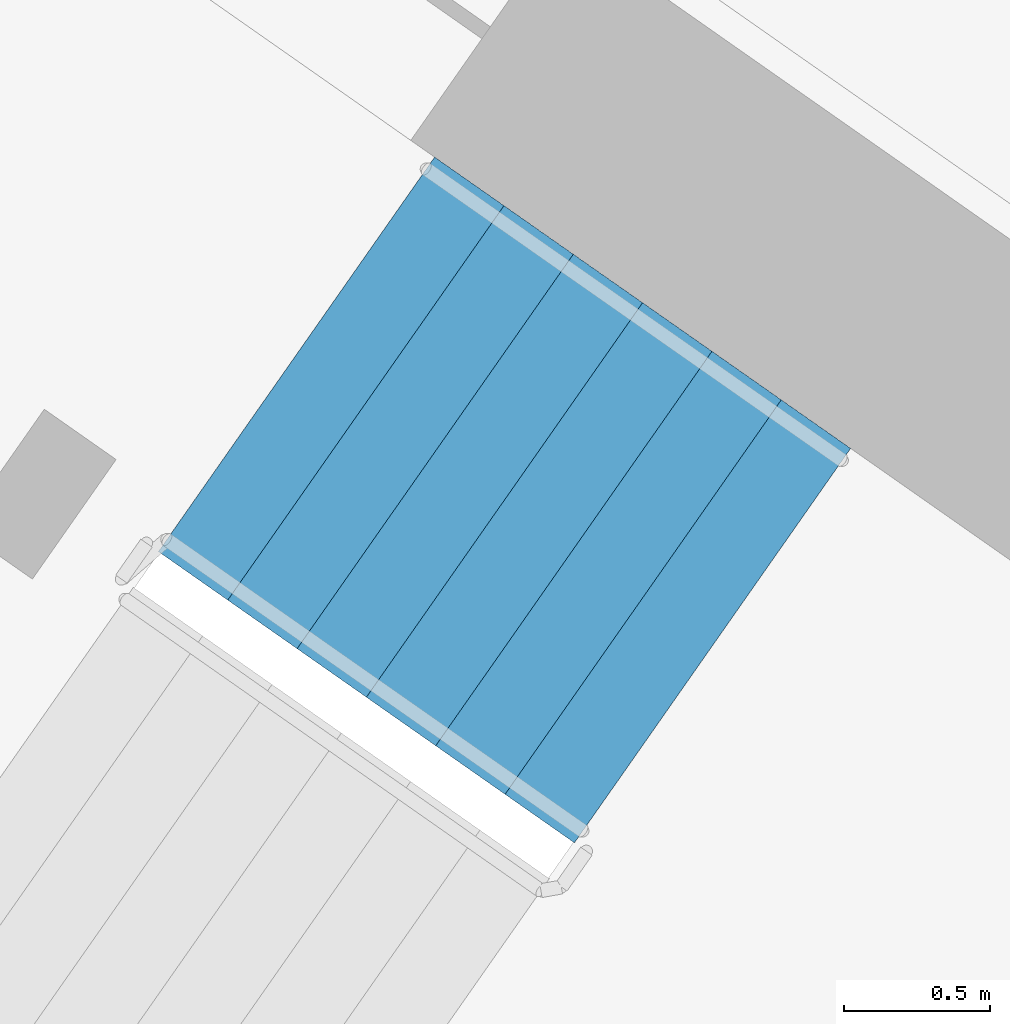
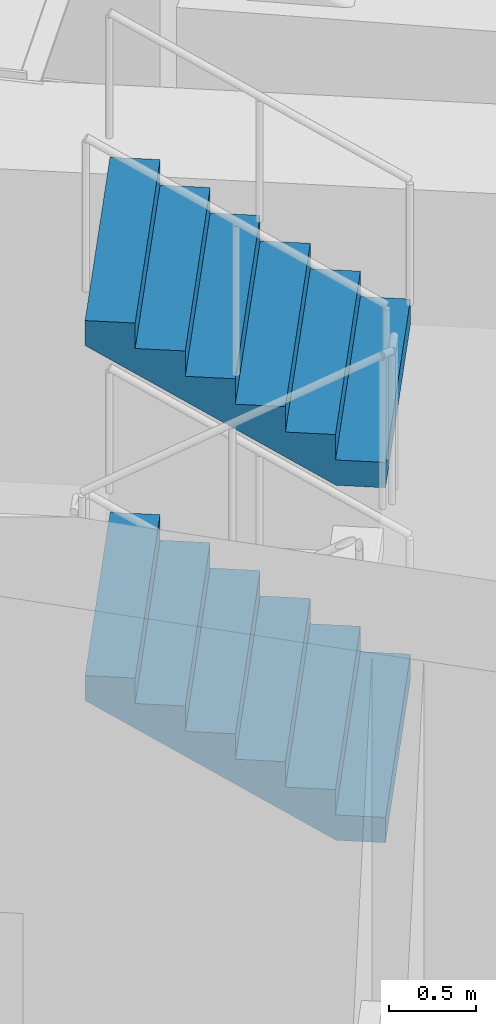
# One storey, part 18 of 25: 2 stair flights, 1 element without a shape of its own.
"""IFC4 building model written with IfcOpenShell, lengths in metres."""

from ifc_helpers import new_model, si_unit, direction, frame, origin, place, context, subcontext, project, spatial, faceted_brep, material, type_object, element, aggregate, save


model = new_model("IFC4")

# Units and contexts
model_context = context("Model", 3, precision=1e-05, world=origin(), true_north=direction((0.0, 1.0)))
body_context = subcontext(model_context, "Body", "Model", "MODEL_VIEW")
ifc_project = project(units=[si_unit("LENGTHUNIT", "METRE"), si_unit("AREAUNIT", "SQUARE_METRE"), si_unit("VOLUMEUNIT", "CUBIC_METRE"), si_unit("PLANEANGLEUNIT", "RADIAN"), si_unit("MASSUNIT", "GRAM", prefix="KILO")], contexts=[model_context])

# Site, building, storey
site_placement = place(None, origin())
site = spatial("IfcSite", under=ifc_project, at=site_placement, CompositionType="ELEMENT")
building_placement = place(site_placement, origin())
building = spatial("IfcBuilding", under=site, at=building_placement, Name="Qamariyya Broadcast Tower", CompositionType="ELEMENT")
storey_placement = place(building_placement, frame((0.0, 0.0, 144.300048828125)))
storey = spatial("IfcBuildingStorey", under=building, at=storey_placement, Name="L33", CompositionType="ELEMENT", Elevation=144.300048828125)

# Stair, stair flights
ifc_material = material(Name="Concrete C50/60", Category="concrete")
stair_type = type_object("IfcStairType", Name="Exit stair 28 risers of 179 mm", PredefinedType="HALF_TURN_STAIR", material=ifc_material)
stair_placement = place(storey_placement, origin())
stair = element("IfcStair", 1, at=stair_placement, inside=storey, type_object=stair_type, Name="L33 Stair W2", PredefinedType="HALF_TURN_STAIR")
stair_flight_type = type_object("IfcStairFlightType", Name="Exit stair flight 7 risers of 179 mm", PredefinedType="STRAIGHT", material=ifc_material)
stair_flight_1_placement = place(storey_placement, frame((-39.133544921875, -48.683349609375, 1.25), z_axis=(0.0, 0.0, 1.0), x_axis=(-0.819152044289, 0.573576436351, 0.0)))
stair_flight_1 = element("IfcStairFlight", 2, at=stair_flight_1_placement, type_object=stair_flight_type, Name="ST-W2 flight 2", NumberOfRisers=7, NumberOfTreads=6, PredefinedType="STRAIGHT", RiserHeight=0.178571429, TreadLength=0.29, context=body_context, shape_type="Brep", body=[
    faceted_brep([(0.0, 0.824951171875, 0.0), (0.0, 0.824951171875, 0.178466796875), (0.2900390625, 0.824951171875, 0.178466796875), (0.2900390625, 0.824951171875, 0.357177734375), (0.580078125, 0.824951171875, 0.357177734375), (0.580078125, 0.824951171875, 0.53564453125), (0.8701171875, 0.824951171875, 0.53564453125), (0.8701171875, 0.824951171875, 0.71435546875), (1.159912109375, 0.824951171875, 0.71435546875), (1.159912109375, 0.824951171875, 0.892822265625), (1.449951171875, 0.824951171875, 0.892822265625), (1.449951171875, 0.824951171875, 1.071533203125), (1.739990234375, 0.824951171875, 1.071533203125), (1.739990234375, 0.824951171875, 0.8955078125), (0.285888671875, 0.824951171875, 0.0), (0.285888671875, -0.824951171875, 0.0), (1.739990234375, -0.824951171875, 0.8955078125), (1.739990234375, -0.824951171875, 1.071533203125), (1.449951171875, -0.824951171875, 1.071533203125), (1.449951171875, -0.824951171875, 0.892822265625), (1.159912109375, -0.824951171875, 0.892822265625), (1.159912109375, -0.824951171875, 0.71435546875), (0.8701171875, -0.824951171875, 0.71435546875), (0.8701171875, -0.824951171875, 0.53564453125), (0.580078125, -0.824951171875, 0.53564453125), (0.580078125, -0.824951171875, 0.357177734375), (0.2900390625, -0.824951171875, 0.357177734375), (0.2900390625, -0.824951171875, 0.178466796875), (0.0, -0.824951171875, 0.178466796875), (0.0, -0.824951171875, 0.0), (0.0, 0.10009765625, 0.0), (0.0, 0.086669921875, 0.0), (0.0, 0.0732421875, 0.0), (0.0, 0.06005859375, 0.0), (0.0, 0.046630859375, 0.0), (0.0, 0.033447265625, 0.0), (0.0, 0.02001953125, 0.0), (0.0, 0.006591796875, 0.0), (0.0, -0.006591796875, 0.0), (0.0, -0.02001953125, 0.0), (0.0, -0.033447265625, 0.0), (0.0, -0.046630859375, 0.0), (0.0, -0.06005859375, 0.0), (0.0, -0.0732421875, 0.0), (0.0, -0.086669921875, 0.0), (0.0, -0.10009765625, 0.0), (0.0, -0.10009765625, 0.178466796875), (0.0, -0.086669921875, 0.178466796875), (0.0, -0.0732421875, 0.178466796875), (0.0, -0.06005859375, 0.178466796875), (0.0, -0.046630859375, 0.178466796875), (0.0, -0.033447265625, 0.178466796875), (0.0, -0.02001953125, 0.178466796875), (0.0, -0.006591796875, 0.178466796875), (0.0, 0.006591796875, 0.178466796875), (0.0, 0.02001953125, 0.178466796875), (0.0, 0.033447265625, 0.178466796875), (0.0, 0.046630859375, 0.178466796875), (0.0, 0.06005859375, 0.178466796875), (0.0, 0.0732421875, 0.178466796875), (0.0, 0.086669921875, 0.178466796875), (0.0, 0.10009765625, 0.178466796875), (0.2900390625, -0.10009765625, 0.178466796875), (0.2900390625, -0.086669921875, 0.178466796875), (0.2900390625, -0.0732421875, 0.178466796875), (0.2900390625, -0.06005859375, 0.178466796875), (0.2900390625, -0.046630859375, 0.178466796875), (0.2900390625, -0.033447265625, 0.178466796875), (0.2900390625, -0.02001953125, 0.178466796875), (0.2900390625, -0.006591796875, 0.178466796875), (0.2900390625, 0.006591796875, 0.178466796875), (0.2900390625, 0.02001953125, 0.178466796875), (0.2900390625, 0.033447265625, 0.178466796875), (0.2900390625, 0.046630859375, 0.178466796875), (0.2900390625, 0.06005859375, 0.178466796875), (0.2900390625, 0.0732421875, 0.178466796875), (0.2900390625, 0.086669921875, 0.178466796875), (0.2900390625, 0.10009765625, 0.178466796875), (0.2900390625, -0.10009765625, 0.357177734375), (0.2900390625, -0.086669921875, 0.357177734375), (0.2900390625, -0.0732421875, 0.357177734375), (0.2900390625, -0.06005859375, 0.357177734375), (0.2900390625, -0.046630859375, 0.357177734375), (0.2900390625, -0.033447265625, 0.357177734375), (0.2900390625, -0.02001953125, 0.357177734375), (0.2900390625, -0.006591796875, 0.357177734375), (0.2900390625, 0.006591796875, 0.357177734375), (0.2900390625, 0.02001953125, 0.357177734375), (0.2900390625, 0.033447265625, 0.357177734375), (0.2900390625, 0.046630859375, 0.357177734375), (0.2900390625, 0.06005859375, 0.357177734375), (0.2900390625, 0.0732421875, 0.357177734375), (0.2900390625, 0.086669921875, 0.357177734375), (0.2900390625, 0.10009765625, 0.357177734375), (0.580078125, -0.10009765625, 0.357177734375), (0.580078125, -0.086669921875, 0.357177734375), (0.580078125, -0.0732421875, 0.357177734375), (0.580078125, -0.06005859375, 0.357177734375), (0.580078125, -0.046630859375, 0.357177734375), (0.580078125, -0.033447265625, 0.357177734375), (0.580078125, -0.02001953125, 0.357177734375), (0.580078125, -0.006591796875, 0.357177734375), (0.580078125, 0.006591796875, 0.357177734375), (0.580078125, 0.02001953125, 0.357177734375), (0.580078125, 0.033447265625, 0.357177734375), (0.580078125, 0.046630859375, 0.357177734375), (0.580078125, 0.06005859375, 0.357177734375), (0.580078125, 0.0732421875, 0.357177734375), (0.580078125, 0.086669921875, 0.357177734375), (0.580078125, 0.10009765625, 0.357177734375), (0.580078125, -0.10009765625, 0.53564453125), (0.580078125, -0.086669921875, 0.53564453125), (0.580078125, -0.0732421875, 0.53564453125), (0.580078125, -0.06005859375, 0.53564453125), (0.580078125, -0.046630859375, 0.53564453125), (0.580078125, -0.033447265625, 0.53564453125), (0.580078125, -0.02001953125, 0.53564453125), (0.580078125, -0.006591796875, 0.53564453125), (0.580078125, 0.006591796875, 0.53564453125), (0.580078125, 0.02001953125, 0.53564453125), (0.580078125, 0.033447265625, 0.53564453125), (0.580078125, 0.046630859375, 0.53564453125), (0.580078125, 0.06005859375, 0.53564453125), (0.580078125, 0.0732421875, 0.53564453125), (0.580078125, 0.086669921875, 0.53564453125), (0.580078125, 0.10009765625, 0.53564453125), (0.8701171875, -0.10009765625, 0.53564453125), (0.8701171875, -0.086669921875, 0.53564453125), (0.8701171875, -0.0732421875, 0.53564453125), (0.8701171875, -0.06005859375, 0.53564453125), (0.8701171875, -0.046630859375, 0.53564453125), (0.8701171875, -0.033447265625, 0.53564453125), (0.8701171875, -0.02001953125, 0.53564453125), (0.8701171875, -0.006591796875, 0.53564453125), (0.8701171875, 0.006591796875, 0.53564453125), (0.8701171875, 0.02001953125, 0.53564453125), (0.8701171875, 0.033447265625, 0.53564453125), (0.8701171875, 0.046630859375, 0.53564453125), (0.8701171875, 0.06005859375, 0.53564453125), (0.8701171875, 0.0732421875, 0.53564453125), (0.8701171875, 0.086669921875, 0.53564453125), (0.8701171875, 0.10009765625, 0.53564453125), (0.8701171875, -0.10009765625, 0.71435546875), (0.8701171875, -0.086669921875, 0.71435546875), (0.8701171875, -0.0732421875, 0.71435546875), (0.8701171875, -0.06005859375, 0.71435546875), (0.8701171875, -0.046630859375, 0.71435546875), (0.8701171875, -0.033447265625, 0.71435546875), (0.8701171875, -0.02001953125, 0.71435546875), (0.8701171875, -0.006591796875, 0.71435546875), (0.8701171875, 0.006591796875, 0.71435546875), (0.8701171875, 0.02001953125, 0.71435546875), (0.8701171875, 0.033447265625, 0.71435546875), (0.8701171875, 0.046630859375, 0.71435546875), (0.8701171875, 0.06005859375, 0.71435546875), (0.8701171875, 0.0732421875, 0.71435546875), (0.8701171875, 0.086669921875, 0.71435546875), (0.8701171875, 0.10009765625, 0.71435546875), (1.159912109375, -0.10009765625, 0.71435546875), (1.159912109375, -0.086669921875, 0.71435546875), (1.159912109375, -0.0732421875, 0.71435546875), (1.159912109375, -0.06005859375, 0.71435546875), (1.159912109375, -0.046630859375, 0.71435546875), (1.159912109375, -0.033447265625, 0.71435546875), (1.159912109375, -0.02001953125, 0.71435546875), (1.159912109375, -0.006591796875, 0.71435546875), (1.159912109375, 0.006591796875, 0.71435546875), (1.159912109375, 0.02001953125, 0.71435546875), (1.159912109375, 0.033447265625, 0.71435546875), (1.159912109375, 0.046630859375, 0.71435546875), (1.159912109375, 0.06005859375, 0.71435546875), (1.159912109375, 0.0732421875, 0.71435546875), (1.159912109375, 0.086669921875, 0.71435546875), (1.159912109375, 0.10009765625, 0.71435546875), (1.159912109375, -0.10009765625, 0.892822265625), (1.159912109375, -0.086669921875, 0.892822265625), (1.159912109375, -0.0732421875, 0.892822265625), (1.159912109375, -0.06005859375, 0.892822265625), (1.159912109375, -0.046630859375, 0.892822265625), (1.159912109375, -0.033447265625, 0.892822265625), (1.159912109375, -0.02001953125, 0.892822265625), (1.159912109375, -0.006591796875, 0.892822265625), (1.159912109375, 0.006591796875, 0.892822265625), (1.159912109375, 0.02001953125, 0.892822265625), (1.159912109375, 0.033447265625, 0.892822265625), (1.159912109375, 0.046630859375, 0.892822265625), (1.159912109375, 0.06005859375, 0.892822265625), (1.159912109375, 0.0732421875, 0.892822265625), (1.159912109375, 0.086669921875, 0.892822265625), (1.159912109375, 0.10009765625, 0.892822265625), (1.449951171875, -0.10009765625, 0.892822265625), (1.449951171875, -0.086669921875, 0.892822265625), (1.449951171875, -0.0732421875, 0.892822265625), (1.449951171875, -0.06005859375, 0.892822265625), (1.449951171875, -0.046630859375, 0.892822265625), (1.449951171875, -0.033447265625, 0.892822265625), (1.449951171875, -0.02001953125, 0.892822265625), (1.449951171875, -0.006591796875, 0.892822265625), (1.449951171875, 0.006591796875, 0.892822265625), (1.449951171875, 0.02001953125, 0.892822265625), (1.449951171875, 0.033447265625, 0.892822265625), (1.449951171875, 0.046630859375, 0.892822265625), (1.449951171875, 0.06005859375, 0.892822265625), (1.449951171875, 0.0732421875, 0.892822265625), (1.449951171875, 0.086669921875, 0.892822265625), (1.449951171875, 0.10009765625, 0.892822265625), (1.449951171875, -0.10009765625, 1.071533203125), (1.449951171875, -0.086669921875, 1.071533203125), (1.449951171875, -0.0732421875, 1.071533203125), (1.449951171875, -0.06005859375, 1.071533203125), (1.449951171875, -0.046630859375, 1.071533203125), (1.449951171875, -0.033447265625, 1.071533203125), (1.449951171875, -0.02001953125, 1.071533203125), (1.449951171875, -0.006591796875, 1.071533203125), (1.449951171875, 0.006591796875, 1.071533203125), (1.449951171875, 0.02001953125, 1.071533203125), (1.449951171875, 0.033447265625, 1.071533203125), (1.449951171875, 0.046630859375, 1.071533203125), (1.449951171875, 0.06005859375, 1.071533203125), (1.449951171875, 0.0732421875, 1.071533203125), (1.449951171875, 0.086669921875, 1.071533203125), (1.449951171875, 0.10009765625, 1.071533203125), (1.739990234375, -0.10009765625, 1.071533203125), (1.739990234375, -0.086669921875, 1.071533203125), (1.739990234375, -0.0732421875, 1.071533203125), (1.739990234375, -0.06005859375, 1.071533203125), (1.739990234375, -0.046630859375, 1.071533203125), (1.739990234375, -0.033447265625, 1.071533203125), (1.739990234375, -0.02001953125, 1.071533203125), (1.739990234375, -0.006591796875, 1.071533203125), (1.739990234375, 0.006591796875, 1.071533203125), (1.739990234375, 0.02001953125, 1.071533203125), (1.739990234375, 0.033447265625, 1.071533203125), (1.739990234375, 0.046630859375, 1.071533203125), (1.739990234375, 0.06005859375, 1.071533203125), (1.739990234375, 0.0732421875, 1.071533203125), (1.739990234375, 0.086669921875, 1.071533203125), (1.739990234375, 0.10009765625, 1.071533203125), (1.739990234375, -0.10009765625, 0.8955078125), (1.739990234375, -0.086669921875, 0.8955078125), (1.739990234375, -0.0732421875, 0.8955078125), (1.739990234375, -0.06005859375, 0.8955078125), (1.739990234375, -0.046630859375, 0.8955078125), (1.739990234375, -0.033447265625, 0.8955078125), (1.739990234375, -0.02001953125, 0.8955078125), (1.739990234375, -0.006591796875, 0.8955078125), (1.739990234375, 0.006591796875, 0.8955078125), (1.739990234375, 0.02001953125, 0.8955078125), (1.739990234375, 0.033447265625, 0.8955078125), (1.739990234375, 0.046630859375, 0.8955078125), (1.739990234375, 0.06005859375, 0.8955078125), (1.739990234375, 0.0732421875, 0.8955078125), (1.739990234375, 0.086669921875, 0.8955078125), (1.739990234375, 0.10009765625, 0.8955078125), (0.285888671875, -0.10009765625, 0.0), (0.285888671875, -0.086669921875, 0.0), (0.285888671875, -0.0732421875, 0.0), (0.285888671875, -0.06005859375, 0.0), (0.285888671875, -0.046630859375, 0.0), (0.285888671875, -0.033447265625, 0.0), (0.285888671875, -0.02001953125, 0.0), (0.285888671875, -0.006591796875, 0.0), (0.285888671875, 0.006591796875, 0.0), (0.285888671875, 0.02001953125, 0.0), (0.285888671875, 0.033447265625, 0.0), (0.285888671875, 0.046630859375, 0.0), (0.285888671875, 0.06005859375, 0.0), (0.285888671875, 0.0732421875, 0.0), (0.285888671875, 0.086669921875, 0.0), (0.285888671875, 0.10009765625, 0.0)], [[[0, 1, 2, 3, 4, 5, 6, 7, 8, 9, 10, 11, 12, 13, 14]], [[15, 16, 17, 18, 19, 20, 21, 22, 23, 24, 25, 26, 27, 28, 29]], [[0, 30, 31, 32, 33, 34, 35, 36, 37, 38, 39, 40, 41, 42, 43, 44, 45, 29, 28, 46, 47, 48, 49, 50, 51, 52, 53, 54, 55, 56, 57, 58, 59, 60, 61, 1]], [[1, 61, 60, 59, 58, 57, 56, 55, 54, 53, 52, 51, 50, 49, 48, 47, 46, 28, 27, 62, 63, 64, 65, 66, 67, 68, 69, 70, 71, 72, 73, 74, 75, 76, 77, 2]], [[2, 77, 76, 75, 74, 73, 72, 71, 70, 69, 68, 67, 66, 65, 64, 63, 62, 27, 26, 78, 79, 80, 81, 82, 83, 84, 85, 86, 87, 88, 89, 90, 91, 92, 93, 3]], [[3, 93, 92, 91, 90, 89, 88, 87, 86, 85, 84, 83, 82, 81, 80, 79, 78, 26, 25, 94, 95, 96, 97, 98, 99, 100, 101, 102, 103, 104, 105, 106, 107, 108, 109, 4]], [[4, 109, 108, 107, 106, 105, 104, 103, 102, 101, 100, 99, 98, 97, 96, 95, 94, 25, 24, 110, 111, 112, 113, 114, 115, 116, 117, 118, 119, 120, 121, 122, 123, 124, 125, 5]], [[5, 125, 124, 123, 122, 121, 120, 119, 118, 117, 116, 115, 114, 113, 112, 111, 110, 24, 23, 126, 127, 128, 129, 130, 131, 132, 133, 134, 135, 136, 137, 138, 139, 140, 141, 6]], [[6, 141, 140, 139, 138, 137, 136, 135, 134, 133, 132, 131, 130, 129, 128, 127, 126, 23, 22, 142, 143, 144, 145, 146, 147, 148, 149, 150, 151, 152, 153, 154, 155, 156, 157, 7]], [[7, 157, 156, 155, 154, 153, 152, 151, 150, 149, 148, 147, 146, 145, 144, 143, 142, 22, 21, 158, 159, 160, 161, 162, 163, 164, 165, 166, 167, 168, 169, 170, 171, 172, 173, 8]], [[8, 173, 172, 171, 170, 169, 168, 167, 166, 165, 164, 163, 162, 161, 160, 159, 158, 21, 20, 174, 175, 176, 177, 178, 179, 180, 181, 182, 183, 184, 185, 186, 187, 188, 189, 9]], [[9, 189, 188, 187, 186, 185, 184, 183, 182, 181, 180, 179, 178, 177, 176, 175, 174, 20, 19, 190, 191, 192, 193, 194, 195, 196, 197, 198, 199, 200, 201, 202, 203, 204, 205, 10]], [[10, 205, 204, 203, 202, 201, 200, 199, 198, 197, 196, 195, 194, 193, 192, 191, 190, 19, 18, 206, 207, 208, 209, 210, 211, 212, 213, 214, 215, 216, 217, 218, 219, 220, 221, 11]], [[11, 221, 220, 219, 218, 217, 216, 215, 214, 213, 212, 211, 210, 209, 208, 207, 206, 18, 17, 222, 223, 224, 225, 226, 227, 228, 229, 230, 231, 232, 233, 234, 235, 236, 237, 12]], [[12, 237, 236, 235, 234, 233, 232, 231, 230, 229, 228, 227, 226, 225, 224, 223, 222, 17, 16, 238, 239, 240, 241, 242, 243, 244, 245, 246, 247, 248, 249, 250, 251, 252, 253, 13]], [[13, 253, 252, 251, 250, 249, 248, 247, 246, 245, 244, 243, 242, 241, 240, 239, 238, 16, 15, 254, 255, 256, 257, 258, 259, 260, 261, 262, 263, 264, 265, 266, 267, 268, 269, 14]], [[14, 269, 268, 267, 266, 265, 264, 263, 262, 261, 260, 259, 258, 257, 256, 255, 254, 15, 29, 45, 44, 43, 42, 41, 40, 39, 38, 37, 36, 35, 34, 33, 32, 31, 30, 0]]]),
])
stair_flight_2_placement = place(storey_placement, frame((-39.133544921875, -48.683349609375, 3.75), z_axis=(0.0, 0.0, 1.0), x_axis=(-0.819152044289, 0.573576436351, 0.0)))
stair_flight_2 = element("IfcStairFlight", 3, at=stair_flight_2_placement, type_object=stair_flight_type, Name="ST-W2 flight 4", NumberOfRisers=7, NumberOfTreads=6, PredefinedType="STRAIGHT", RiserHeight=0.178571429, TreadLength=0.29, context=body_context, shape_type="Brep", body=[
    faceted_brep([(0.0, 0.824951171875, 0.0), (0.0, 0.824951171875, 0.178466796875), (0.2900390625, 0.824951171875, 0.178466796875), (0.2900390625, 0.824951171875, 0.357177734375), (0.580078125, 0.824951171875, 0.357177734375), (0.580078125, 0.824951171875, 0.53564453125), (0.8701171875, 0.824951171875, 0.53564453125), (0.8701171875, 0.824951171875, 0.71435546875), (1.159912109375, 0.824951171875, 0.71435546875), (1.159912109375, 0.824951171875, 0.892822265625), (1.449951171875, 0.824951171875, 0.892822265625), (1.449951171875, 0.824951171875, 1.071533203125), (1.739990234375, 0.824951171875, 1.071533203125), (1.739990234375, 0.824951171875, 0.8955078125), (0.285888671875, 0.824951171875, 0.0), (0.285888671875, -0.824951171875, 0.0), (1.739990234375, -0.824951171875, 0.8955078125), (1.739990234375, -0.824951171875, 1.071533203125), (1.449951171875, -0.824951171875, 1.071533203125), (1.449951171875, -0.824951171875, 0.892822265625), (1.159912109375, -0.824951171875, 0.892822265625), (1.159912109375, -0.824951171875, 0.71435546875), (0.8701171875, -0.824951171875, 0.71435546875), (0.8701171875, -0.824951171875, 0.53564453125), (0.580078125, -0.824951171875, 0.53564453125), (0.580078125, -0.824951171875, 0.357177734375), (0.2900390625, -0.824951171875, 0.357177734375), (0.2900390625, -0.824951171875, 0.178466796875), (0.0, -0.824951171875, 0.178466796875), (0.0, -0.824951171875, 0.0), (0.0, 0.10009765625, 0.0), (0.0, 0.086669921875, 0.0), (0.0, 0.0732421875, 0.0), (0.0, 0.06005859375, 0.0), (0.0, 0.046630859375, 0.0), (0.0, 0.033447265625, 0.0), (0.0, 0.02001953125, 0.0), (0.0, 0.006591796875, 0.0), (0.0, -0.006591796875, 0.0), (0.0, -0.02001953125, 0.0), (0.0, -0.033447265625, 0.0), (0.0, -0.046630859375, 0.0), (0.0, -0.06005859375, 0.0), (0.0, -0.0732421875, 0.0), (0.0, -0.086669921875, 0.0), (0.0, -0.10009765625, 0.0), (0.0, -0.10009765625, 0.178466796875), (0.0, -0.086669921875, 0.178466796875), (0.0, -0.0732421875, 0.178466796875), (0.0, -0.06005859375, 0.178466796875), (0.0, -0.046630859375, 0.178466796875), (0.0, -0.033447265625, 0.178466796875), (0.0, -0.02001953125, 0.178466796875), (0.0, -0.006591796875, 0.178466796875), (0.0, 0.006591796875, 0.178466796875), (0.0, 0.02001953125, 0.178466796875), (0.0, 0.033447265625, 0.178466796875), (0.0, 0.046630859375, 0.178466796875), (0.0, 0.06005859375, 0.178466796875), (0.0, 0.0732421875, 0.178466796875), (0.0, 0.086669921875, 0.178466796875), (0.0, 0.10009765625, 0.178466796875), (0.2900390625, -0.10009765625, 0.178466796875), (0.2900390625, -0.086669921875, 0.178466796875), (0.2900390625, -0.0732421875, 0.178466796875), (0.2900390625, -0.06005859375, 0.178466796875), (0.2900390625, -0.046630859375, 0.178466796875), (0.2900390625, -0.033447265625, 0.178466796875), (0.2900390625, -0.02001953125, 0.178466796875), (0.2900390625, -0.006591796875, 0.178466796875), (0.2900390625, 0.006591796875, 0.178466796875), (0.2900390625, 0.02001953125, 0.178466796875), (0.2900390625, 0.033447265625, 0.178466796875), (0.2900390625, 0.046630859375, 0.178466796875), (0.2900390625, 0.06005859375, 0.178466796875), (0.2900390625, 0.0732421875, 0.178466796875), (0.2900390625, 0.086669921875, 0.178466796875), (0.2900390625, 0.10009765625, 0.178466796875), (0.2900390625, -0.10009765625, 0.357177734375), (0.2900390625, -0.086669921875, 0.357177734375), (0.2900390625, -0.0732421875, 0.357177734375), (0.2900390625, -0.06005859375, 0.357177734375), (0.2900390625, -0.046630859375, 0.357177734375), (0.2900390625, -0.033447265625, 0.357177734375), (0.2900390625, -0.02001953125, 0.357177734375), (0.2900390625, -0.006591796875, 0.357177734375), (0.2900390625, 0.006591796875, 0.357177734375), (0.2900390625, 0.02001953125, 0.357177734375), (0.2900390625, 0.033447265625, 0.357177734375), (0.2900390625, 0.046630859375, 0.357177734375), (0.2900390625, 0.06005859375, 0.357177734375), (0.2900390625, 0.0732421875, 0.357177734375), (0.2900390625, 0.086669921875, 0.357177734375), (0.2900390625, 0.10009765625, 0.357177734375), (0.580078125, -0.10009765625, 0.357177734375), (0.580078125, -0.086669921875, 0.357177734375), (0.580078125, -0.0732421875, 0.357177734375), (0.580078125, -0.06005859375, 0.357177734375), (0.580078125, -0.046630859375, 0.357177734375), (0.580078125, -0.033447265625, 0.357177734375), (0.580078125, -0.02001953125, 0.357177734375), (0.580078125, -0.006591796875, 0.357177734375), (0.580078125, 0.006591796875, 0.357177734375), (0.580078125, 0.02001953125, 0.357177734375), (0.580078125, 0.033447265625, 0.357177734375), (0.580078125, 0.046630859375, 0.357177734375), (0.580078125, 0.06005859375, 0.357177734375), (0.580078125, 0.0732421875, 0.357177734375), (0.580078125, 0.086669921875, 0.357177734375), (0.580078125, 0.10009765625, 0.357177734375), (0.580078125, -0.10009765625, 0.53564453125), (0.580078125, -0.086669921875, 0.53564453125), (0.580078125, -0.0732421875, 0.53564453125), (0.580078125, -0.06005859375, 0.53564453125), (0.580078125, -0.046630859375, 0.53564453125), (0.580078125, -0.033447265625, 0.53564453125), (0.580078125, -0.02001953125, 0.53564453125), (0.580078125, -0.006591796875, 0.53564453125), (0.580078125, 0.006591796875, 0.53564453125), (0.580078125, 0.02001953125, 0.53564453125), (0.580078125, 0.033447265625, 0.53564453125), (0.580078125, 0.046630859375, 0.53564453125), (0.580078125, 0.06005859375, 0.53564453125), (0.580078125, 0.0732421875, 0.53564453125), (0.580078125, 0.086669921875, 0.53564453125), (0.580078125, 0.10009765625, 0.53564453125), (0.8701171875, -0.10009765625, 0.53564453125), (0.8701171875, -0.086669921875, 0.53564453125), (0.8701171875, -0.0732421875, 0.53564453125), (0.8701171875, -0.06005859375, 0.53564453125), (0.8701171875, -0.046630859375, 0.53564453125), (0.8701171875, -0.033447265625, 0.53564453125), (0.8701171875, -0.02001953125, 0.53564453125), (0.8701171875, -0.006591796875, 0.53564453125), (0.8701171875, 0.006591796875, 0.53564453125), (0.8701171875, 0.02001953125, 0.53564453125), (0.8701171875, 0.033447265625, 0.53564453125), (0.8701171875, 0.046630859375, 0.53564453125), (0.8701171875, 0.06005859375, 0.53564453125), (0.8701171875, 0.0732421875, 0.53564453125), (0.8701171875, 0.086669921875, 0.53564453125), (0.8701171875, 0.10009765625, 0.53564453125), (0.8701171875, -0.10009765625, 0.71435546875), (0.8701171875, -0.086669921875, 0.71435546875), (0.8701171875, -0.0732421875, 0.71435546875), (0.8701171875, -0.06005859375, 0.71435546875), (0.8701171875, -0.046630859375, 0.71435546875), (0.8701171875, -0.033447265625, 0.71435546875), (0.8701171875, -0.02001953125, 0.71435546875), (0.8701171875, -0.006591796875, 0.71435546875), (0.8701171875, 0.006591796875, 0.71435546875), (0.8701171875, 0.02001953125, 0.71435546875), (0.8701171875, 0.033447265625, 0.71435546875), (0.8701171875, 0.046630859375, 0.71435546875), (0.8701171875, 0.06005859375, 0.71435546875), (0.8701171875, 0.0732421875, 0.71435546875), (0.8701171875, 0.086669921875, 0.71435546875), (0.8701171875, 0.10009765625, 0.71435546875), (1.159912109375, -0.10009765625, 0.71435546875), (1.159912109375, -0.086669921875, 0.71435546875), (1.159912109375, -0.0732421875, 0.71435546875), (1.159912109375, -0.06005859375, 0.71435546875), (1.159912109375, -0.046630859375, 0.71435546875), (1.159912109375, -0.033447265625, 0.71435546875), (1.159912109375, -0.02001953125, 0.71435546875), (1.159912109375, -0.006591796875, 0.71435546875), (1.159912109375, 0.006591796875, 0.71435546875), (1.159912109375, 0.02001953125, 0.71435546875), (1.159912109375, 0.033447265625, 0.71435546875), (1.159912109375, 0.046630859375, 0.71435546875), (1.159912109375, 0.06005859375, 0.71435546875), (1.159912109375, 0.0732421875, 0.71435546875), (1.159912109375, 0.086669921875, 0.71435546875), (1.159912109375, 0.10009765625, 0.71435546875), (1.159912109375, -0.10009765625, 0.892822265625), (1.159912109375, -0.086669921875, 0.892822265625), (1.159912109375, -0.0732421875, 0.892822265625), (1.159912109375, -0.06005859375, 0.892822265625), (1.159912109375, -0.046630859375, 0.892822265625), (1.159912109375, -0.033447265625, 0.892822265625), (1.159912109375, -0.02001953125, 0.892822265625), (1.159912109375, -0.006591796875, 0.892822265625), (1.159912109375, 0.006591796875, 0.892822265625), (1.159912109375, 0.02001953125, 0.892822265625), (1.159912109375, 0.033447265625, 0.892822265625), (1.159912109375, 0.046630859375, 0.892822265625), (1.159912109375, 0.06005859375, 0.892822265625), (1.159912109375, 0.0732421875, 0.892822265625), (1.159912109375, 0.086669921875, 0.892822265625), (1.159912109375, 0.10009765625, 0.892822265625), (1.449951171875, -0.10009765625, 0.892822265625), (1.449951171875, -0.086669921875, 0.892822265625), (1.449951171875, -0.0732421875, 0.892822265625), (1.449951171875, -0.06005859375, 0.892822265625), (1.449951171875, -0.046630859375, 0.892822265625), (1.449951171875, -0.033447265625, 0.892822265625), (1.449951171875, -0.02001953125, 0.892822265625), (1.449951171875, -0.006591796875, 0.892822265625), (1.449951171875, 0.006591796875, 0.892822265625), (1.449951171875, 0.02001953125, 0.892822265625), (1.449951171875, 0.033447265625, 0.892822265625), (1.449951171875, 0.046630859375, 0.892822265625), (1.449951171875, 0.06005859375, 0.892822265625), (1.449951171875, 0.0732421875, 0.892822265625), (1.449951171875, 0.086669921875, 0.892822265625), (1.449951171875, 0.10009765625, 0.892822265625), (1.449951171875, -0.10009765625, 1.071533203125), (1.449951171875, -0.086669921875, 1.071533203125), (1.449951171875, -0.0732421875, 1.071533203125), (1.449951171875, -0.06005859375, 1.071533203125), (1.449951171875, -0.046630859375, 1.071533203125), (1.449951171875, -0.033447265625, 1.071533203125), (1.449951171875, -0.02001953125, 1.071533203125), (1.449951171875, -0.006591796875, 1.071533203125), (1.449951171875, 0.006591796875, 1.071533203125), (1.449951171875, 0.02001953125, 1.071533203125), (1.449951171875, 0.033447265625, 1.071533203125), (1.449951171875, 0.046630859375, 1.071533203125), (1.449951171875, 0.06005859375, 1.071533203125), (1.449951171875, 0.0732421875, 1.071533203125), (1.449951171875, 0.086669921875, 1.071533203125), (1.449951171875, 0.10009765625, 1.071533203125), (1.739990234375, -0.10009765625, 1.071533203125), (1.739990234375, -0.086669921875, 1.071533203125), (1.739990234375, -0.0732421875, 1.071533203125), (1.739990234375, -0.06005859375, 1.071533203125), (1.739990234375, -0.046630859375, 1.071533203125), (1.739990234375, -0.033447265625, 1.071533203125), (1.739990234375, -0.02001953125, 1.071533203125), (1.739990234375, -0.006591796875, 1.071533203125), (1.739990234375, 0.006591796875, 1.071533203125), (1.739990234375, 0.02001953125, 1.071533203125), (1.739990234375, 0.033447265625, 1.071533203125), (1.739990234375, 0.046630859375, 1.071533203125), (1.739990234375, 0.06005859375, 1.071533203125), (1.739990234375, 0.0732421875, 1.071533203125), (1.739990234375, 0.086669921875, 1.071533203125), (1.739990234375, 0.10009765625, 1.071533203125), (1.739990234375, -0.10009765625, 0.8955078125), (1.739990234375, -0.086669921875, 0.8955078125), (1.739990234375, -0.0732421875, 0.8955078125), (1.739990234375, -0.06005859375, 0.8955078125), (1.739990234375, -0.046630859375, 0.8955078125), (1.739990234375, -0.033447265625, 0.8955078125), (1.739990234375, -0.02001953125, 0.8955078125), (1.739990234375, -0.006591796875, 0.8955078125), (1.739990234375, 0.006591796875, 0.8955078125), (1.739990234375, 0.02001953125, 0.8955078125), (1.739990234375, 0.033447265625, 0.8955078125), (1.739990234375, 0.046630859375, 0.8955078125), (1.739990234375, 0.06005859375, 0.8955078125), (1.739990234375, 0.0732421875, 0.8955078125), (1.739990234375, 0.086669921875, 0.8955078125), (1.739990234375, 0.10009765625, 0.8955078125), (0.285888671875, -0.10009765625, 0.0), (0.285888671875, -0.086669921875, 0.0), (0.285888671875, -0.0732421875, 0.0), (0.285888671875, -0.06005859375, 0.0), (0.285888671875, -0.046630859375, 0.0), (0.285888671875, -0.033447265625, 0.0), (0.285888671875, -0.02001953125, 0.0), (0.285888671875, -0.006591796875, 0.0), (0.285888671875, 0.006591796875, 0.0), (0.285888671875, 0.02001953125, 0.0), (0.285888671875, 0.033447265625, 0.0), (0.285888671875, 0.046630859375, 0.0), (0.285888671875, 0.06005859375, 0.0), (0.285888671875, 0.0732421875, 0.0), (0.285888671875, 0.086669921875, 0.0), (0.285888671875, 0.10009765625, 0.0)], [[[0, 1, 2, 3, 4, 5, 6, 7, 8, 9, 10, 11, 12, 13, 14]], [[15, 16, 17, 18, 19, 20, 21, 22, 23, 24, 25, 26, 27, 28, 29]], [[0, 30, 31, 32, 33, 34, 35, 36, 37, 38, 39, 40, 41, 42, 43, 44, 45, 29, 28, 46, 47, 48, 49, 50, 51, 52, 53, 54, 55, 56, 57, 58, 59, 60, 61, 1]], [[1, 61, 60, 59, 58, 57, 56, 55, 54, 53, 52, 51, 50, 49, 48, 47, 46, 28, 27, 62, 63, 64, 65, 66, 67, 68, 69, 70, 71, 72, 73, 74, 75, 76, 77, 2]], [[2, 77, 76, 75, 74, 73, 72, 71, 70, 69, 68, 67, 66, 65, 64, 63, 62, 27, 26, 78, 79, 80, 81, 82, 83, 84, 85, 86, 87, 88, 89, 90, 91, 92, 93, 3]], [[3, 93, 92, 91, 90, 89, 88, 87, 86, 85, 84, 83, 82, 81, 80, 79, 78, 26, 25, 94, 95, 96, 97, 98, 99, 100, 101, 102, 103, 104, 105, 106, 107, 108, 109, 4]], [[4, 109, 108, 107, 106, 105, 104, 103, 102, 101, 100, 99, 98, 97, 96, 95, 94, 25, 24, 110, 111, 112, 113, 114, 115, 116, 117, 118, 119, 120, 121, 122, 123, 124, 125, 5]], [[5, 125, 124, 123, 122, 121, 120, 119, 118, 117, 116, 115, 114, 113, 112, 111, 110, 24, 23, 126, 127, 128, 129, 130, 131, 132, 133, 134, 135, 136, 137, 138, 139, 140, 141, 6]], [[6, 141, 140, 139, 138, 137, 136, 135, 134, 133, 132, 131, 130, 129, 128, 127, 126, 23, 22, 142, 143, 144, 145, 146, 147, 148, 149, 150, 151, 152, 153, 154, 155, 156, 157, 7]], [[7, 157, 156, 155, 154, 153, 152, 151, 150, 149, 148, 147, 146, 145, 144, 143, 142, 22, 21, 158, 159, 160, 161, 162, 163, 164, 165, 166, 167, 168, 169, 170, 171, 172, 173, 8]], [[8, 173, 172, 171, 170, 169, 168, 167, 166, 165, 164, 163, 162, 161, 160, 159, 158, 21, 20, 174, 175, 176, 177, 178, 179, 180, 181, 182, 183, 184, 185, 186, 187, 188, 189, 9]], [[9, 189, 188, 187, 186, 185, 184, 183, 182, 181, 180, 179, 178, 177, 176, 175, 174, 20, 19, 190, 191, 192, 193, 194, 195, 196, 197, 198, 199, 200, 201, 202, 203, 204, 205, 10]], [[10, 205, 204, 203, 202, 201, 200, 199, 198, 197, 196, 195, 194, 193, 192, 191, 190, 19, 18, 206, 207, 208, 209, 210, 211, 212, 213, 214, 215, 216, 217, 218, 219, 220, 221, 11]], [[11, 221, 220, 219, 218, 217, 216, 215, 214, 213, 212, 211, 210, 209, 208, 207, 206, 18, 17, 222, 223, 224, 225, 226, 227, 228, 229, 230, 231, 232, 233, 234, 235, 236, 237, 12]], [[12, 237, 236, 235, 234, 233, 232, 231, 230, 229, 228, 227, 226, 225, 224, 223, 222, 17, 16, 238, 239, 240, 241, 242, 243, 244, 245, 246, 247, 248, 249, 250, 251, 252, 253, 13]], [[13, 253, 252, 251, 250, 249, 248, 247, 246, 245, 244, 243, 242, 241, 240, 239, 238, 16, 15, 254, 255, 256, 257, 258, 259, 260, 261, 262, 263, 264, 265, 266, 267, 268, 269, 14]], [[14, 269, 268, 267, 266, 265, 264, 263, 262, 261, 260, 259, 258, 257, 256, 255, 254, 15, 29, 45, 44, 43, 42, 41, 40, 39, 38, 37, 36, 35, 34, 33, 32, 31, 30, 0]]]),
])
aggregate(stair, [stair_flight_1, stair_flight_2])

save(model, "model.ifc")
